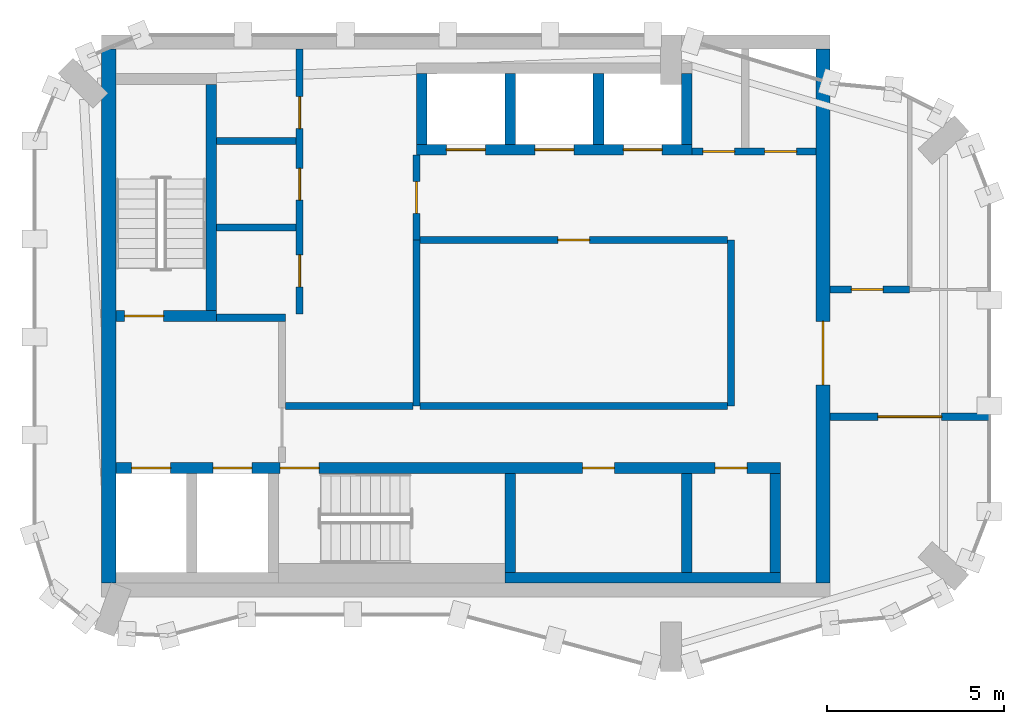
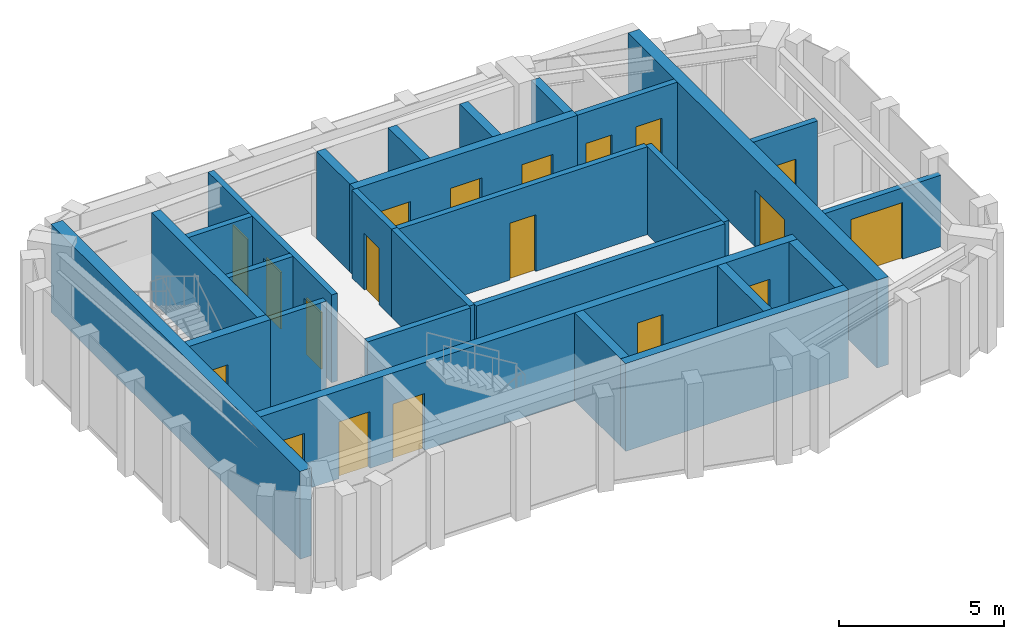
# One storey, part 3 of 5: 27 walls, 19 doors, 19 openings.
"""IFC4 building model written with IfcOpenShell, lengths in metres."""

from ifc_helpers import new_model, si_unit, direction, frame, frame_2d, origin, place, context, subcontext, project, spatial, rectangle, extrude, material, layer, layer_set, type_object, element, fill, save


model = new_model("IFC4")

# Units and contexts
model_context = context("Model", 3, precision=1e-05, world=origin(), true_north=direction((0.0, 1.0)))
body_context = subcontext(model_context, "Body", "Model", "MODEL_VIEW")
ifc_project = project(units=[si_unit("LENGTHUNIT", "METRE"), si_unit("AREAUNIT", "SQUARE_METRE"), si_unit("VOLUMEUNIT", "CUBIC_METRE"), si_unit("PLANEANGLEUNIT", "RADIAN"), si_unit("MASSUNIT", "GRAM", prefix="KILO")], contexts=[model_context])

# Site, building, storey
site_placement = place(None, origin())
site = spatial("IfcSite", under=ifc_project, at=site_placement, CompositionType="ELEMENT")
building_placement = place(site_placement, origin())
building = spatial("IfcBuilding", under=site, at=building_placement, Name="Plateau Cross Towers", CompositionType="ELEMENT")
storey_placement = place(building_placement, frame((0.0, 0.0, 305.39990234375)))
storey = spatial("IfcBuildingStorey", under=building, at=storey_placement, Name="L81 Crown 3", CompositionType="ELEMENT", Elevation=305.39990234375)

# Walls
ifc_material_1 = material(Name="Concrete block, plastered both sides", Category="concrete")
ifc_layer_1 = layer(ifc_material_1, 0.199951171875)
ifc_layer_set_1 = layer_set([ifc_layer_1], Name="Concrete block, plastered both sides")
wall_type_1 = type_object("IfcWallType", Name="Core partition 200", PredefinedType="PARTITIONING", material=ifc_layer_set_1)
wall_1_placement = place(storey_placement, frame((5.14990234375, 10.0, 0.0), z_axis=(0.0, 0.0, 1.0), x_axis=(1.0, 0.0, 0.0)))
element("IfcWall", 1, at=wall_1_placement, inside=storey, type_object=wall_type_1, Name="Core partition", PredefinedType="PARTITIONING", context=body_context, shape_type="SweptSolid", body=[
    extrude(rectangle(XDim=1.9501953125, YDim=0.199951171875, at=frame_2d((0.97509765625, 0.0))), origin(), (0.0, 0.0, 1.0), 3.25),
])
wall_2_placement = place(storey_placement, frame((7.10009765625, 7.5, 0.0), z_axis=(0.0, 0.0, 1.0), x_axis=(1.0, 0.0, 0.0)))
element("IfcWall", 2, at=wall_2_placement, inside=storey, type_object=wall_type_1, Name="Core partition", PredefinedType="PARTITIONING", context=body_context, shape_type="SweptSolid", body=[
    extrude(rectangle(XDim=3.599853515625, YDim=0.199951171875, at=frame_2d((1.7998046875, 0.0))), origin(), (0.0, 0.0, 1.0), 3.25),
])

# Wall, opening, door
wall_3_placement = place(storey_placement, frame((10.800048828125, 12.199951171875, 0.0), z_axis=(0.0, 0.0, 1.0), x_axis=(0.0, 1.0, 0.0)))
wall_3 = element("IfcWall", 3, at=wall_3_placement, inside=storey, type_object=wall_type_1, Name="Core partition", PredefinedType="PARTITIONING", context=body_context, shape_type="SweptSolid", body=[
    extrude(rectangle(XDim=2.400146484375, YDim=0.199951171875, at=frame_2d((1.2001953125, 0.0))), origin(), (0.0, 0.0, 1.0), 3.25),
])
opening_1_placement = place(wall_3_placement, frame((0.75, 0.0, 0.0)))
opening_1 = element("IfcOpeningElement", 4, at=opening_1_placement, cuts=wall_3, Name="Opening RD1", PredefinedType="OPENING", context=body_context, shape_type="SweptSolid", body=[
    extrude(rectangle(XDim=0.89990234375, YDim=2.10009765625, at=frame_2d((0.449951171875, 1.050048828125))), frame((0.0, 0.10986328125, 0.0), z_axis=(0.0, -1.0, 0.0), x_axis=(1.0, 0.0, 0.0)), (0.0, 0.0, 1.0), 0.219970703125),
])
ifc_material_2 = material(Name="Timber, fire-resisting leaf", Category="wood")
door_type_1 = type_object("IfcDoorType", Name="Core service door 900", OperationType="NOTDEFINED", PredefinedType="DOOR", material=ifc_material_2)
door_1_placement = place(opening_1_placement, origin())
door_1 = element("IfcDoor", 5, at=door_1_placement, inside=storey, type_object=door_type_1, Name="Core service door RD1", OperationType="SINGLE_SWING_LEFT", OverallHeight=2.10009765625, OverallWidth=0.89990234375, PredefinedType="DOOR", context=body_context, shape_type="SweptSolid", body=[
    extrude(rectangle(XDim=0.89990234375, YDim=2.10009765625, at=frame_2d((0.449951171875, 1.050048828125))), frame((0.0, 0.02490234375, 0.0), z_axis=(0.0, -1.0, 0.0), x_axis=(1.0, 0.0, 0.0)), (0.0, 0.0, 1.0), 0.050048828125),
])
fill(opening_1, door_1)

# Walls
wall_4_placement = place(storey_placement, frame((10.800048828125, 7.5, 0.0), z_axis=(0.0, 0.0, 1.0), x_axis=(0.0, 1.0, 0.0)))
element("IfcWall", 6, at=wall_4_placement, inside=storey, type_object=wall_type_1, Name="Core partition", PredefinedType="PARTITIONING", context=body_context, shape_type="SweptSolid", body=[
    extrude(rectangle(XDim=4.699951171875, YDim=0.199951171875, at=frame_2d((2.35009765625, 0.0))), origin(), (0.0, 0.0, 1.0), 3.25),
])
wall_5_placement = place(storey_placement, frame((10.89990234375, 7.5, 0.0), z_axis=(0.0, 0.0, 1.0), x_axis=(1.0, 0.0, 0.0)))
element("IfcWall", 7, at=wall_5_placement, inside=storey, type_object=wall_type_1, Name="Core partition", PredefinedType="PARTITIONING", context=body_context, shape_type="SweptSolid", body=[
    extrude(rectangle(XDim=8.7001953125, YDim=0.199951171875, at=frame_2d((4.35009765625, 0.0))), origin(), (0.0, 0.0, 1.0), 3.25),
])
wall_6_placement = place(storey_placement, frame((19.699951171875, 7.5, 0.0), z_axis=(0.0, 0.0, 1.0), x_axis=(0.0, 1.0, 0.0)))
element("IfcWall", 8, at=wall_6_placement, inside=storey, type_object=wall_type_1, Name="Core partition", PredefinedType="PARTITIONING", context=body_context, shape_type="SweptSolid", body=[
    extrude(rectangle(XDim=4.699951171875, YDim=0.199951171875, at=frame_2d((2.35009765625, 0.0))), origin(), (0.0, 0.0, 1.0), 3.25),
])

# Wall, opening, door
wall_7_placement = place(storey_placement, frame((10.89990234375, 12.199951171875, 0.0), z_axis=(0.0, 0.0, 1.0), x_axis=(1.0, 0.0, 0.0)))
wall_7 = element("IfcWall", 9, at=wall_7_placement, inside=storey, type_object=wall_type_1, Name="Core partition", PredefinedType="PARTITIONING", context=body_context, shape_type="SweptSolid", body=[
    extrude(rectangle(XDim=8.7001953125, YDim=0.199951171875, at=frame_2d((4.35009765625, 0.0))), origin(), (0.0, 0.0, 1.0), 3.25),
])
opening_2_placement = place(wall_7_placement, frame((3.89990234375, 0.0, 0.0)))
opening_2 = element("IfcOpeningElement", 10, at=opening_2_placement, cuts=wall_7, Name="Opening RD1", PredefinedType="OPENING", context=body_context, shape_type="SweptSolid", body=[
    extrude(rectangle(XDim=0.89990234375, YDim=2.10009765625, at=frame_2d((0.449951171875, 1.050048828125))), frame((0.0, 0.10986328125, 0.0), z_axis=(0.0, -1.0, 0.0), x_axis=(1.0, 0.0, 0.0)), (0.0, 0.0, 1.0), 0.219970703125),
])
door_2_placement = place(opening_2_placement, origin())
door_2 = element("IfcDoor", 11, at=door_2_placement, inside=storey, type_object=door_type_1, Name="Core service door RD1", OperationType="SINGLE_SWING_LEFT", OverallHeight=2.10009765625, OverallWidth=0.89990234375, PredefinedType="DOOR", context=body_context, shape_type="SweptSolid", body=[
    extrude(rectangle(XDim=0.89990234375, YDim=2.10009765625, at=frame_2d((0.449951171875, 1.050048828125))), frame((0.0, 0.02490234375, 0.0), z_axis=(0.0, -1.0, 0.0), x_axis=(1.0, 0.0, 0.0)), (0.0, 0.0, 1.0), 0.050048828125),
])
fill(opening_2, door_2)

# Wall, openings, doors
wall_8_placement = place(storey_placement, frame((7.5, 10.10009765625, 0.0), z_axis=(0.0, 0.0, 1.0), x_axis=(0.0, 1.0, 0.0)))
wall_8 = element("IfcWall", 12, at=wall_8_placement, inside=storey, type_object=wall_type_1, Name="Core partition", PredefinedType="PARTITIONING", context=body_context, shape_type="SweptSolid", body=[
    extrude(rectangle(XDim=7.5, YDim=0.199951171875, at=frame_2d((3.75, 0.0))), origin(), (0.0, 0.0, 1.0), 3.25),
])
opening_3_placement = place(wall_8_placement, frame((0.77490234375, 0.0, 0.0)))
opening_3 = element("IfcOpeningElement", 13, at=opening_3_placement, cuts=wall_8, Name="Opening RD1", PredefinedType="OPENING", context=body_context, shape_type="SweptSolid", body=[
    extrude(rectangle(XDim=0.89990234375, YDim=2.10009765625, at=frame_2d((0.449951171875, 1.050048828125))), frame((0.0, 0.10986328125, 0.0), z_axis=(0.0, -1.0, 0.0), x_axis=(1.0, 0.0, 0.0)), (0.0, 0.0, 1.0), 0.219970703125),
])
opening_4_placement = place(wall_8_placement, frame((3.22509765625, 0.0, 0.0)))
opening_4 = element("IfcOpeningElement", 14, at=opening_4_placement, cuts=wall_8, Name="Opening RD1", PredefinedType="OPENING", context=body_context, shape_type="SweptSolid", body=[
    extrude(rectangle(XDim=0.89990234375, YDim=2.10009765625, at=frame_2d((0.449951171875, 1.050048828125))), frame((0.0, 0.10986328125, 0.0), z_axis=(0.0, -1.0, 0.0), x_axis=(1.0, 0.0, 0.0)), (0.0, 0.0, 1.0), 0.219970703125),
])
opening_5_placement = place(wall_8_placement, frame((5.25, 0.0, 0.0)))
opening_5 = element("IfcOpeningElement", 15, at=opening_5_placement, cuts=wall_8, Name="Opening RD1", PredefinedType="OPENING", context=body_context, shape_type="SweptSolid", body=[
    extrude(rectangle(XDim=0.89990234375, YDim=2.10009765625, at=frame_2d((0.449951171875, 1.050048828125))), frame((0.0, 0.10986328125, 0.0), z_axis=(0.0, -1.0, 0.0), x_axis=(1.0, 0.0, 0.0)), (0.0, 0.0, 1.0), 0.219970703125),
])
door_3_placement = place(opening_3_placement, origin())
door_3 = element("IfcDoor", 16, at=door_3_placement, inside=storey, type_object=door_type_1, Name="Core service door RD1", OperationType="SINGLE_SWING_RIGHT", OverallHeight=2.10009765625, OverallWidth=0.89990234375, PredefinedType="DOOR", context=body_context, shape_type="SweptSolid", body=[
    extrude(rectangle(XDim=0.89990234375, YDim=2.10009765625, at=frame_2d((0.449951171875, 1.050048828125))), frame((0.0, 0.02490234375, 0.0), z_axis=(0.0, -1.0, 0.0), x_axis=(1.0, 0.0, 0.0)), (0.0, 0.0, 1.0), 0.050048828125),
])
fill(opening_3, door_3)
door_4_placement = place(opening_4_placement, origin())
door_4 = element("IfcDoor", 17, at=door_4_placement, inside=storey, type_object=door_type_1, Name="Core service door RD1", OperationType="SINGLE_SWING_RIGHT", OverallHeight=2.10009765625, OverallWidth=0.89990234375, PredefinedType="DOOR", context=body_context, shape_type="SweptSolid", body=[
    extrude(rectangle(XDim=0.89990234375, YDim=2.10009765625, at=frame_2d((0.449951171875, 1.050048828125))), frame((0.0, 0.02490234375, 0.0), z_axis=(0.0, -1.0, 0.0), x_axis=(1.0, 0.0, 0.0)), (0.0, 0.0, 1.0), 0.050048828125),
])
fill(opening_4, door_4)
door_5_placement = place(opening_5_placement, origin())
door_5 = element("IfcDoor", 18, at=door_5_placement, inside=storey, type_object=door_type_1, Name="Core service door RD1", OperationType="SINGLE_SWING_RIGHT", OverallHeight=2.10009765625, OverallWidth=0.89990234375, PredefinedType="DOOR", context=body_context, shape_type="SweptSolid", body=[
    extrude(rectangle(XDim=0.89990234375, YDim=2.10009765625, at=frame_2d((0.449951171875, 1.050048828125))), frame((0.0, 0.02490234375, 0.0), z_axis=(0.0, -1.0, 0.0), x_axis=(1.0, 0.0, 0.0)), (0.0, 0.0, 1.0), 0.050048828125),
])
fill(opening_5, door_5)

# Walls
for number, where, z_axis, x_axis, name in (
    (19, (5.14990234375, 12.550048828125, 0.0), (0.0, 0.0, 1.0), (1.0, 0.0, 0.0), "Core partition"),
    (20, (5.14990234375, 15.0, 0.0), (0.0, 0.0, 1.0), (1.0, 0.0, 0.0), "Core partition"),
):
    element("IfcWall", number, at=place(storey_placement, frame(where, z_axis=z_axis, x_axis=x_axis)), inside=storey, type_object=wall_type_1, Name=name, PredefinedType="PARTITIONING", context=body_context, shape_type="SweptSolid", body=[
        extrude(rectangle(XDim=2.25, YDim=0.199951171875, at=frame_2d((1.125, 0.0))), origin(), (0.0, 0.0, 1.0), 3.25),
    ])

# Wall, openings, doors
wall_9_placement = place(storey_placement, frame((18.60009765625, 14.699951171875, 0.0), z_axis=(0.0, 0.0, 1.0), x_axis=(1.0, 0.0, 0.0)))
wall_9 = element("IfcWall", 21, at=wall_9_placement, inside=storey, type_object=wall_type_1, Name="Core partition", PredefinedType="PARTITIONING", context=body_context, shape_type="SweptSolid", body=[
    extrude(rectangle(XDim=3.5, YDim=0.199951171875, at=frame_2d((1.75, 0.0))), origin(), (0.0, 0.0, 1.0), 3.25),
])
opening_6_placement = place(wall_9_placement, frame((0.300048828125, 0.0, 0.0)))
opening_6 = element("IfcOpeningElement", 22, at=opening_6_placement, cuts=wall_9, Name="Opening RD2", PredefinedType="OPENING", context=body_context, shape_type="SweptSolid", body=[
    extrude(rectangle(XDim=0.89990234375, YDim=2.10009765625, at=frame_2d((0.449951171875, 1.050048828125))), frame((0.0, 0.10986328125, 0.0), z_axis=(0.0, -1.0, 0.0), x_axis=(1.0, 0.0, 0.0)), (0.0, 0.0, 1.0), 0.219970703125),
])
opening_7_placement = place(wall_9_placement, frame((2.050048828125, 0.0, 0.0)))
opening_7 = element("IfcOpeningElement", 23, at=opening_7_placement, cuts=wall_9, Name="Opening RD2", PredefinedType="OPENING", context=body_context, shape_type="SweptSolid", body=[
    extrude(rectangle(XDim=0.89990234375, YDim=2.10009765625, at=frame_2d((0.449951171875, 1.050048828125))), frame((0.0, 0.10986328125, 0.0), z_axis=(0.0, -1.0, 0.0), x_axis=(1.0, 0.0, 0.0)), (0.0, 0.0, 1.0), 0.219970703125),
])
ifc_material_3 = material(Name="Steel, fire-resisting leaf", Category="steel")
door_type_2 = type_object("IfcDoorType", Name="Core riser door 900", OperationType="NOTDEFINED", PredefinedType="DOOR", material=ifc_material_3)
door_6_placement = place(opening_6_placement, origin())
door_6 = element("IfcDoor", 24, at=door_6_placement, inside=storey, type_object=door_type_2, Name="Core riser door RD2", OperationType="SINGLE_SWING_LEFT", OverallHeight=2.10009765625, OverallWidth=0.89990234375, PredefinedType="DOOR", context=body_context, shape_type="SweptSolid", body=[
    extrude(rectangle(XDim=0.89990234375, YDim=2.10009765625, at=frame_2d((0.449951171875, 1.050048828125))), frame((0.0, 0.02490234375, 0.0), z_axis=(0.0, -1.0, 0.0), x_axis=(1.0, 0.0, 0.0)), (0.0, 0.0, 1.0), 0.050048828125),
])
fill(opening_6, door_6)
door_7_placement = place(opening_7_placement, origin())
door_7 = element("IfcDoor", 25, at=door_7_placement, inside=storey, type_object=door_type_2, Name="Core riser door RD2", OperationType="SINGLE_SWING_LEFT", OverallHeight=2.10009765625, OverallWidth=0.89990234375, PredefinedType="DOOR", context=body_context, shape_type="SweptSolid", body=[
    extrude(rectangle(XDim=0.89990234375, YDim=2.10009765625, at=frame_2d((0.449951171875, 1.050048828125))), frame((0.0, 0.02490234375, 0.0), z_axis=(0.0, -1.0, 0.0), x_axis=(1.0, 0.0, 0.0)), (0.0, 0.0, 1.0), 0.050048828125),
])
fill(opening_7, door_7)

# Walls
ifc_material_4 = material(Name="Concrete C60/75", Category="concrete")
ifc_layer_2 = layer(ifc_material_4, 0.300048828125)
ifc_layer_set_2 = layer_set([ifc_layer_2], Name="Concrete C60/75")
wall_type_2 = type_object("IfcWallType", Name="Core shaft wall 300", PredefinedType="SHEAR", material=ifc_layer_set_2)
wall_10_placement = place(storey_placement, frame((13.300048828125, 2.64990234375, 0.0), z_axis=(0.0, 0.0, 1.0), x_axis=(1.0, 0.0, 0.0)))
element("IfcWall", 26, at=wall_10_placement, inside=storey, type_object=wall_type_2, Name="A-sb-back3@L81 Crown 3", PredefinedType="SHEAR", context=body_context, shape_type="SweptSolid", body=[
    extrude(rectangle(XDim=7.800048828125, YDim=0.300048828125, at=frame_2d((3.89990234375, 0.0))), origin(), (0.0, 0.0, 1.0), 3.25),
])
for number, where, z_axis, x_axis, name in (
    (27, (13.449951171875, 2.800048828125, 0.0), (0.0, 0.0, 1.0), (0.0, 1.0, 0.0), "A-sb-v3@L81 Crown 3"),
    (28, (18.449951171875, 2.800048828125, 0.0), (0.0, 0.0, 1.0), (0.0, 1.0, 0.0), "A-sb-v5@L81 Crown 3"),
    (29, (20.949951171875, 2.800048828125, 0.0), (0.0, 0.0, 1.0), (0.0, 1.0, 0.0), "A-sb-v6@L81 Crown 3"),
):
    element("IfcWall", number, at=place(storey_placement, frame(where, z_axis=z_axis, x_axis=x_axis)), inside=storey, type_object=wall_type_2, Name=name, PredefinedType="SHEAR", context=body_context, shape_type="SweptSolid", body=[
        extrude(rectangle(XDim=2.800048828125, YDim=0.300048828125, at=frame_2d((1.39990234375, 0.0))), origin(), (0.0, 0.0, 1.0), 3.25),
    ])

# Wall, openings, doors
wall_11_placement = place(storey_placement, frame((2.300048828125, 5.75, 0.0), z_axis=(0.0, 0.0, 1.0), x_axis=(1.0, 0.0, 0.0)))
wall_11 = element("IfcWall", 30, at=wall_11_placement, inside=storey, type_object=wall_type_2, Name="A-sb-front@L81 Crown 3", PredefinedType="SHEAR", context=body_context, shape_type="SweptSolid", body=[
    extrude(rectangle(XDim=18.800048828125, YDim=0.300048828125, at=frame_2d((9.39990234375, 0.0))), origin(), (0.0, 0.0, 1.0), 3.25),
])
opening_8_placement = place(wall_11_placement, frame((4.64990234375, 0.0, 0.0)))
opening_8 = element("IfcOpeningElement", 31, at=opening_8_placement, cuts=wall_11, Name="Opening SD", PredefinedType="OPENING", context=body_context, shape_type="SweptSolid", body=[
    extrude(rectangle(XDim=1.10009765625, YDim=2.10009765625, at=frame_2d((0.550048828125, 1.050048828125))), frame((0.0, 0.159912109375, 0.0), z_axis=(0.0, -1.0, 0.0), x_axis=(1.0, 0.0, 0.0)), (0.0, 0.0, 1.0), 0.320068359375),
])
opening_9_placement = place(wall_11_placement, frame((0.449951171875, 0.0, 0.0)))
opening_9 = element("IfcOpeningElement", 32, at=opening_9_placement, cuts=wall_11, Name="Opening LD", PredefinedType="OPENING", context=body_context, shape_type="SweptSolid", body=[
    extrude(rectangle(XDim=1.10009765625, YDim=2.10009765625, at=frame_2d((0.550048828125, 1.050048828125))), frame((0.0, 0.159912109375, 0.0), z_axis=(0.0, -1.0, 0.0), x_axis=(1.0, 0.0, 0.0)), (0.0, 0.0, 1.0), 0.320068359375),
])
opening_10_placement = place(wall_11_placement, frame((2.75, 0.0, 0.0)))
opening_10 = element("IfcOpeningElement", 33, at=opening_10_placement, cuts=wall_11, Name="Opening LD", PredefinedType="OPENING", context=body_context, shape_type="SweptSolid", body=[
    extrude(rectangle(XDim=1.10009765625, YDim=2.10009765625, at=frame_2d((0.550048828125, 1.050048828125))), frame((0.0, 0.159912109375, 0.0), z_axis=(0.0, -1.0, 0.0), x_axis=(1.0, 0.0, 0.0)), (0.0, 0.0, 1.0), 0.320068359375),
])
opening_11_placement = place(wall_11_placement, frame((13.199951171875, 0.0, 0.0)))
opening_11 = element("IfcOpeningElement", 34, at=opening_11_placement, cuts=wall_11, Name="Opening RD2", PredefinedType="OPENING", context=body_context, shape_type="SweptSolid", body=[
    extrude(rectangle(XDim=0.89990234375, YDim=2.10009765625, at=frame_2d((0.449951171875, 1.050048828125))), frame((0.0, 0.159912109375, 0.0), z_axis=(0.0, -1.0, 0.0), x_axis=(1.0, 0.0, 0.0)), (0.0, 0.0, 1.0), 0.320068359375),
])
opening_12_placement = place(wall_11_placement, frame((16.949951171875, 0.0, 0.0)))
opening_12 = element("IfcOpeningElement", 35, at=opening_12_placement, cuts=wall_11, Name="Opening RD2", PredefinedType="OPENING", context=body_context, shape_type="SweptSolid", body=[
    extrude(rectangle(XDim=0.89990234375, YDim=2.10009765625, at=frame_2d((0.449951171875, 1.050048828125))), frame((0.0, 0.159912109375, 0.0), z_axis=(0.0, -1.0, 0.0), x_axis=(1.0, 0.0, 0.0)), (0.0, 0.0, 1.0), 0.320068359375),
])
door_8_placement = place(opening_11_placement, origin())
door_8 = element("IfcDoor", 36, at=door_8_placement, inside=storey, type_object=door_type_2, Name="Core riser door RD2", OperationType="SINGLE_SWING_LEFT", OverallHeight=2.10009765625, OverallWidth=0.89990234375, PredefinedType="DOOR", context=body_context, shape_type="SweptSolid", body=[
    extrude(rectangle(XDim=0.89990234375, YDim=2.10009765625, at=frame_2d((0.449951171875, 1.050048828125))), frame((0.0, 0.02490234375, 0.0), z_axis=(0.0, -1.0, 0.0), x_axis=(1.0, 0.0, 0.0)), (0.0, 0.0, 1.0), 0.050048828125),
])
fill(opening_11, door_8)
door_9_placement = place(opening_12_placement, origin())
door_9 = element("IfcDoor", 37, at=door_9_placement, inside=storey, type_object=door_type_2, Name="Core riser door RD2", OperationType="SINGLE_SWING_LEFT", OverallHeight=2.10009765625, OverallWidth=0.89990234375, PredefinedType="DOOR", context=body_context, shape_type="SweptSolid", body=[
    extrude(rectangle(XDim=0.89990234375, YDim=2.10009765625, at=frame_2d((0.449951171875, 1.050048828125))), frame((0.0, 0.02490234375, 0.0), z_axis=(0.0, -1.0, 0.0), x_axis=(1.0, 0.0, 0.0)), (0.0, 0.0, 1.0), 0.050048828125),
])
fill(opening_12, door_9)
ifc_material_5 = material(Name="Stainless steel, fire-resisting sliding leaves", Category="steel")
door_type_3 = type_object("IfcDoorType", Name="Lift landing door 1100", OperationType="NOTDEFINED", PredefinedType="DOOR", material=ifc_material_5)
door_10_placement = place(opening_9_placement, origin())
door_10 = element("IfcDoor", 38, at=door_10_placement, inside=storey, type_object=door_type_3, Name="Lift landing door LD", OperationType="DOUBLE_DOOR_SLIDING", OverallHeight=2.10009765625, OverallWidth=1.10009765625, PredefinedType="DOOR", context=body_context, shape_type="SweptSolid", body=[
    extrude(rectangle(XDim=1.10009765625, YDim=2.10009765625, at=frame_2d((0.550048828125, 1.050048828125))), frame((0.0, 0.02490234375, 0.0), z_axis=(0.0, -1.0, 0.0), x_axis=(1.0, 0.0, 0.0)), (0.0, 0.0, 1.0), 0.050048828125),
])
fill(opening_9, door_10)
door_11_placement = place(opening_10_placement, origin())
door_11 = element("IfcDoor", 39, at=door_11_placement, inside=storey, type_object=door_type_3, Name="Lift landing door LD", OperationType="DOUBLE_DOOR_SLIDING", OverallHeight=2.10009765625, OverallWidth=1.10009765625, PredefinedType="DOOR", context=body_context, shape_type="SweptSolid", body=[
    extrude(rectangle(XDim=1.10009765625, YDim=2.10009765625, at=frame_2d((0.550048828125, 1.050048828125))), frame((0.0, 0.02490234375, 0.0), z_axis=(0.0, -1.0, 0.0), x_axis=(1.0, 0.0, 0.0)), (0.0, 0.0, 1.0), 0.050048828125),
])
fill(opening_10, door_11)
door_type_4 = type_object("IfcDoorType", Name="Stair door 1100", OperationType="NOTDEFINED", PredefinedType="DOOR", material=ifc_material_3)
door_12_placement = place(opening_8_placement, origin())
door_12 = element("IfcDoor", 40, at=door_12_placement, inside=storey, type_object=door_type_4, Name="Stair door SD", OperationType="SINGLE_SWING_LEFT", OverallHeight=2.10009765625, OverallWidth=1.10009765625, PredefinedType="DOOR", context=body_context, shape_type="SweptSolid", body=[
    extrude(rectangle(XDim=1.10009765625, YDim=2.10009765625, at=frame_2d((0.550048828125, 1.050048828125))), frame((0.0, 0.02490234375, 0.0), z_axis=(0.0, -1.0, 0.0), x_axis=(1.0, 0.0, 0.0)), (0.0, 0.0, 1.0), 0.050048828125),
])
fill(opening_8, door_12)

# Wall, opening, door
wall_12_placement = place(storey_placement, frame((2.300048828125, 10.050048828125, 0.0), z_axis=(0.0, 0.0, 1.0), x_axis=(1.0, 0.0, 0.0)))
wall_12 = element("IfcWall", 41, at=wall_12_placement, inside=storey, type_object=wall_type_2, Name="A-st1-S@L81 Crown 3", PredefinedType="SHEAR", context=body_context, shape_type="SweptSolid", body=[
    extrude(rectangle(XDim=2.849853515625, YDim=0.300048828125, at=frame_2d((1.4248046875, 0.0))), origin(), (0.0, 0.0, 1.0), 3.25),
])
opening_13_placement = place(wall_12_placement, frame((0.25, 0.0, 0.0)))
opening_13 = element("IfcOpeningElement", 42, at=opening_13_placement, cuts=wall_12, Name="Opening SD", PredefinedType="OPENING", context=body_context, shape_type="SweptSolid", body=[
    extrude(rectangle(XDim=1.10009765625, YDim=2.10009765625, at=frame_2d((0.550048828125, 1.050048828125))), frame((0.0, 0.159912109375, 0.0), z_axis=(0.0, -1.0, 0.0), x_axis=(1.0, 0.0, 0.0)), (0.0, 0.0, 1.0), 0.320068359375),
])
door_13_placement = place(opening_13_placement, origin())
door_13 = element("IfcDoor", 43, at=door_13_placement, inside=storey, type_object=door_type_4, Name="Stair door SD", OperationType="SINGLE_SWING_RIGHT", OverallHeight=2.10009765625, OverallWidth=1.10009765625, PredefinedType="DOOR", context=body_context, shape_type="SweptSolid", body=[
    extrude(rectangle(XDim=1.10009765625, YDim=2.10009765625, at=frame_2d((0.550048828125, 1.050048828125))), frame((0.0, 0.02490234375, 0.0), z_axis=(0.0, -1.0, 0.0), x_axis=(1.0, 0.0, 0.0)), (0.0, 0.0, 1.0), 0.050048828125),
])
fill(opening_13, door_13)

# Wall
wall_13_placement = place(storey_placement, frame((5.0, 10.199951171875, 0.0), z_axis=(0.0, 0.0, 1.0), x_axis=(0.0, 1.0, 0.0)))
element("IfcWall", 44, at=wall_13_placement, inside=storey, type_object=wall_type_2, Name="A-st1-E@L81 Crown 3", PredefinedType="SHEAR", context=body_context, shape_type="SweptSolid", body=[
    extrude(rectangle(XDim=6.400146484375, YDim=0.300048828125, at=frame_2d((3.2001953125, 0.0))), origin(), (0.0, 0.0, 1.0), 3.25),
])

# Wall, openings, doors
wall_14_placement = place(storey_placement, frame((10.800048828125, 14.75, 0.0), z_axis=(0.0, 0.0, 1.0), x_axis=(1.0, 0.0, 0.0)))
wall_14 = element("IfcWall", 45, at=wall_14_placement, inside=storey, type_object=wall_type_2, Name="A-nb-front@L81 Crown 3", PredefinedType="SHEAR", context=body_context, shape_type="SweptSolid", body=[
    extrude(rectangle(XDim=7.800048828125, YDim=0.300048828125, at=frame_2d((3.89990234375, 0.0))), origin(), (0.0, 0.0, 1.0), 3.25),
])
opening_14_placement = place(wall_14_placement, frame((0.85009765625, 0.0, 0.0)))
opening_14 = element("IfcOpeningElement", 46, at=opening_14_placement, cuts=wall_14, Name="Opening LD", PredefinedType="OPENING", context=body_context, shape_type="SweptSolid", body=[
    extrude(rectangle(XDim=1.10009765625, YDim=2.10009765625, at=frame_2d((0.550048828125, 1.050048828125))), frame((0.0, 0.159912109375, 0.0), z_axis=(0.0, -1.0, 0.0), x_axis=(1.0, 0.0, 0.0)), (0.0, 0.0, 1.0), 0.320068359375),
])
opening_15_placement = place(wall_14_placement, frame((3.35009765625, 0.0, 0.0)))
opening_15 = element("IfcOpeningElement", 47, at=opening_15_placement, cuts=wall_14, Name="Opening LD", PredefinedType="OPENING", context=body_context, shape_type="SweptSolid", body=[
    extrude(rectangle(XDim=1.10009765625, YDim=2.10009765625, at=frame_2d((0.550048828125, 1.050048828125))), frame((0.0, 0.159912109375, 0.0), z_axis=(0.0, -1.0, 0.0), x_axis=(1.0, 0.0, 0.0)), (0.0, 0.0, 1.0), 0.320068359375),
])
opening_16_placement = place(wall_14_placement, frame((5.85009765625, 0.0, 0.0)))
opening_16 = element("IfcOpeningElement", 48, at=opening_16_placement, cuts=wall_14, Name="Opening LD", PredefinedType="OPENING", context=body_context, shape_type="SweptSolid", body=[
    extrude(rectangle(XDim=1.10009765625, YDim=2.10009765625, at=frame_2d((0.550048828125, 1.050048828125))), frame((0.0, 0.159912109375, 0.0), z_axis=(0.0, -1.0, 0.0), x_axis=(1.0, 0.0, 0.0)), (0.0, 0.0, 1.0), 0.320068359375),
])
door_14_placement = place(opening_14_placement, origin())
door_14 = element("IfcDoor", 49, at=door_14_placement, inside=storey, type_object=door_type_3, Name="Lift landing door LD", OperationType="DOUBLE_DOOR_SLIDING", OverallHeight=2.10009765625, OverallWidth=1.10009765625, PredefinedType="DOOR", context=body_context, shape_type="SweptSolid", body=[
    extrude(rectangle(XDim=1.10009765625, YDim=2.10009765625, at=frame_2d((0.550048828125, 1.050048828125))), frame((0.0, 0.02490234375, 0.0), z_axis=(0.0, -1.0, 0.0), x_axis=(1.0, 0.0, 0.0)), (0.0, 0.0, 1.0), 0.050048828125),
])
fill(opening_14, door_14)
door_15_placement = place(opening_15_placement, origin())
door_15 = element("IfcDoor", 50, at=door_15_placement, inside=storey, type_object=door_type_3, Name="Lift landing door LD", OperationType="DOUBLE_DOOR_SLIDING", OverallHeight=2.10009765625, OverallWidth=1.10009765625, PredefinedType="DOOR", context=body_context, shape_type="SweptSolid", body=[
    extrude(rectangle(XDim=1.10009765625, YDim=2.10009765625, at=frame_2d((0.550048828125, 1.050048828125))), frame((0.0, 0.02490234375, 0.0), z_axis=(0.0, -1.0, 0.0), x_axis=(1.0, 0.0, 0.0)), (0.0, 0.0, 1.0), 0.050048828125),
])
fill(opening_15, door_15)
door_16_placement = place(opening_16_placement, origin())
door_16 = element("IfcDoor", 51, at=door_16_placement, inside=storey, type_object=door_type_3, Name="Lift landing door LD", OperationType="DOUBLE_DOOR_SLIDING", OverallHeight=2.10009765625, OverallWidth=1.10009765625, PredefinedType="DOOR", context=body_context, shape_type="SweptSolid", body=[
    extrude(rectangle(XDim=1.10009765625, YDim=2.10009765625, at=frame_2d((0.550048828125, 1.050048828125))), frame((0.0, 0.02490234375, 0.0), z_axis=(0.0, -1.0, 0.0), x_axis=(1.0, 0.0, 0.0)), (0.0, 0.0, 1.0), 0.050048828125),
])
fill(opening_16, door_16)

# Walls
for number, where, z_axis, x_axis, name in (
    (52, (10.949951171875, 14.89990234375, 0.0), (0.0, 0.0, 1.0), (0.0, 1.0, 0.0), "A-nb-v1@L81 Crown 3"),
    (53, (13.449951171875, 14.89990234375, 0.0), (0.0, 0.0, 1.0), (0.0, 1.0, 0.0), "A-nb-v2@L81 Crown 3"),
    (54, (15.949951171875, 14.89990234375, 0.0), (0.0, 0.0, 1.0), (0.0, 1.0, 0.0), "A-nb-v3@L81 Crown 3"),
    (55, (18.449951171875, 14.89990234375, 0.0), (0.0, 0.0, 1.0), (0.0, 1.0, 0.0), "A-nb-v4@L81 Crown 3"),
):
    element("IfcWall", number, at=place(storey_placement, frame(where, z_axis=z_axis, x_axis=x_axis)), inside=storey, type_object=wall_type_2, Name=name, PredefinedType="SHEAR", context=body_context, shape_type="SweptSolid", body=[
        extrude(rectangle(XDim=2.0, YDim=0.300048828125, at=frame_2d((1.0, 0.0))), origin(), (0.0, 0.0, 1.0), 3.25),
    ])
ifc_layer_3 = layer(ifc_material_4, 0.39990234375)
ifc_layer_set_3 = layer_set([ifc_layer_3], Name="Concrete C60/75")
wall_type_3 = type_object("IfcWallType", Name="Core shell wall 400", PredefinedType="SHEAR", material=ifc_layer_set_3)
wall_15_placement = place(storey_placement, frame((2.10009765625, 2.5, 0.0), z_axis=(0.0, 0.0, 1.0), x_axis=(0.0, 1.0, 0.0)))
element("IfcWall", 56, at=wall_15_placement, inside=storey, type_object=wall_type_3, Name="A-core-W@L81 Crown 3", PredefinedType="SHEAR", context=body_context, shape_type="SweptSolid", body=[
    extrude(rectangle(XDim=15.10009765625, YDim=0.39990234375, at=frame_2d((7.550048828125, 0.0))), origin(), (0.0, 0.0, 1.0), 3.25),
])

# Wall, opening, door
wall_16_placement = place(storey_placement, frame((22.300048828125, 2.5, 0.0), z_axis=(0.0, 0.0, 1.0), x_axis=(0.0, 1.0, 0.0)))
wall_16 = element("IfcWall", 57, at=wall_16_placement, inside=storey, type_object=wall_type_3, Name="A-core-E@L81 Crown 3", PredefinedType="SHEAR", context=body_context, shape_type="SweptSolid", body=[
    extrude(rectangle(XDim=15.10009765625, YDim=0.39990234375, at=frame_2d((7.550048828125, 0.0))), origin(), (0.0, 0.0, 1.0), 3.25),
])
opening_17_placement = place(wall_16_placement, frame((5.60009765625, 0.0, 0.0)))
opening_17 = element("IfcOpeningElement", 58, at=opening_17_placement, cuts=wall_16, Name="Opening CD", PredefinedType="OPENING", context=body_context, shape_type="SweptSolid", body=[
    extrude(rectangle(XDim=1.800048828125, YDim=2.10009765625, at=frame_2d((0.89990234375, 1.050048828125))), frame((0.0, 0.2099609375, 0.0), z_axis=(0.0, -1.0, 0.0), x_axis=(1.0, 0.0, 0.0)), (0.0, 0.0, 1.0), 0.419921875),
])
ifc_material_6 = material(Name="Steel, fire-resisting leaves", Category="steel")
door_type_5 = type_object("IfcDoorType", Name="Corridor door pair 1800", OperationType="NOTDEFINED", PredefinedType="DOOR", material=ifc_material_6)
door_17_placement = place(opening_17_placement, origin())
door_17 = element("IfcDoor", 59, at=door_17_placement, inside=storey, type_object=door_type_5, Name="Corridor door pair CD", OperationType="DOUBLE_DOOR_SINGLE_SWING", OverallHeight=2.10009765625, OverallWidth=1.800048828125, PredefinedType="DOOR", context=body_context, shape_type="SweptSolid", body=[
    extrude(rectangle(XDim=1.800048828125, YDim=2.10009765625, at=frame_2d((0.89990234375, 1.050048828125))), frame((0.0, 0.02490234375, 0.0), z_axis=(0.0, -1.0, 0.0), x_axis=(1.0, 0.0, 0.0)), (0.0, 0.0, 1.0), 0.050048828125),
])
fill(opening_17, door_17)

ifc_material_7 = material(Name="Gypsum board on steel studs", Category="steel")
ifc_layer_4 = layer(ifc_material_7, 0.199951171875)
ifc_layer_set_4 = layer_set([ifc_layer_4], Name="Gypsum board on steel studs")
wall_type_4 = type_object("IfcWallType", Name="Podium partition 200", PredefinedType="PARTITIONING", material=ifc_layer_set_4)
wall_17_placement = place(storey_placement, frame((27.0, 7.199951171875, 0.0), z_axis=(0.0, 0.0, 1.0), x_axis=(-1.0, 0.0, 0.0)))
wall_17 = element("IfcWall", 60, at=wall_17_placement, inside=storey, type_object=wall_type_4, Name="Partition wall", PredefinedType="PARTITIONING", context=body_context, shape_type="SweptSolid", body=[
    extrude(rectangle(XDim=4.5, YDim=0.199951171875, at=frame_2d((2.25, 0.0))), origin(), (0.0, 0.0, 1.0), 2.64208984375),
])
opening_18_placement = place(wall_17_placement, frame((1.35009765625, 0.0, 0.0)))
opening_18 = element("IfcOpeningElement", 61, at=opening_18_placement, cuts=wall_17, Name="Opening 813-03", PredefinedType="OPENING", context=body_context, shape_type="SweptSolid", body=[
    extrude(rectangle(XDim=1.800048828125, YDim=2.10009765625, at=frame_2d((0.89990234375, 1.050048828125))), frame((0.0, 0.10986328125, 0.0), z_axis=(0.0, -1.0, 0.0), x_axis=(1.0, 0.0, 0.0)), (0.0, 0.0, 1.0), 0.219970703125),
])
ifc_material_8 = material(Name="Aluminium frame, toughened glass", Category="aluminium")
door_type_6 = type_object("IfcDoorType", Name="Podium door pair 1800", OperationType="NOTDEFINED", PredefinedType="DOOR", material=ifc_material_8)
door_18_placement = place(opening_18_placement, origin())
door_18 = element("IfcDoor", 62, at=door_18_placement, inside=storey, type_object=door_type_6, Name="Door 813-03", OperationType="DOUBLE_DOOR_SINGLE_SWING", OverallHeight=2.10009765625, OverallWidth=1.800048828125, PredefinedType="DOOR", context=body_context, shape_type="SweptSolid", body=[
    extrude(rectangle(XDim=1.800048828125, YDim=2.10009765625, at=frame_2d((0.89990234375, 1.050048828125))), frame((0.0, 0.02490234375, 0.0), z_axis=(0.0, -1.0, 0.0), x_axis=(1.0, 0.0, 0.0)), (0.0, 0.0, 1.0), 0.050048828125),
])
fill(opening_18, door_18)

wall_18_placement = place(storey_placement, frame((22.5, 10.800048828125, 0.0), z_axis=(0.0, 0.0, 1.0), x_axis=(1.0, 0.0, 0.0)))
wall_18 = element("IfcWall", 63, at=wall_18_placement, inside=storey, type_object=wall_type_4, Name="Partition wall", PredefinedType="PARTITIONING", context=body_context, shape_type="SweptSolid", body=[
    extrude(rectangle(XDim=2.25, YDim=0.199951171875, at=frame_2d((1.125, 0.0))), origin(), (0.0, 0.0, 1.0), 3.25),
])
opening_19_placement = place(wall_18_placement, frame((0.60009765625, 0.0, 0.0)))
opening_19 = element("IfcOpeningElement", 64, at=opening_19_placement, cuts=wall_18, Name="Opening 813-01", PredefinedType="OPENING", context=body_context, shape_type="SweptSolid", body=[
    extrude(rectangle(XDim=0.89990234375, YDim=2.10009765625, at=frame_2d((0.449951171875, 1.050048828125))), frame((0.0, 0.10986328125, 0.0), z_axis=(0.0, -1.0, 0.0), x_axis=(1.0, 0.0, 0.0)), (0.0, 0.0, 1.0), 0.219970703125),
])
ifc_material_9 = material(Name="Timber leaf", Category="wood")
door_type_7 = type_object("IfcDoorType", Name="Podium room door 900", OperationType="NOTDEFINED", PredefinedType="DOOR", material=ifc_material_9)
door_19_placement = place(opening_19_placement, origin())
door_19 = element("IfcDoor", 65, at=door_19_placement, inside=storey, type_object=door_type_7, Name="Door 813-01", OperationType="SINGLE_SWING_LEFT", OverallHeight=2.10009765625, OverallWidth=0.89990234375, PredefinedType="DOOR", context=body_context, shape_type="SweptSolid", body=[
    extrude(rectangle(XDim=0.89990234375, YDim=2.10009765625, at=frame_2d((0.449951171875, 1.050048828125))), frame((0.0, 0.02490234375, 0.0), z_axis=(0.0, -1.0, 0.0), x_axis=(1.0, 0.0, 0.0)), (0.0, 0.0, 1.0), 0.050048828125),
])
fill(opening_19, door_19)

save(model, "model.ifc")
